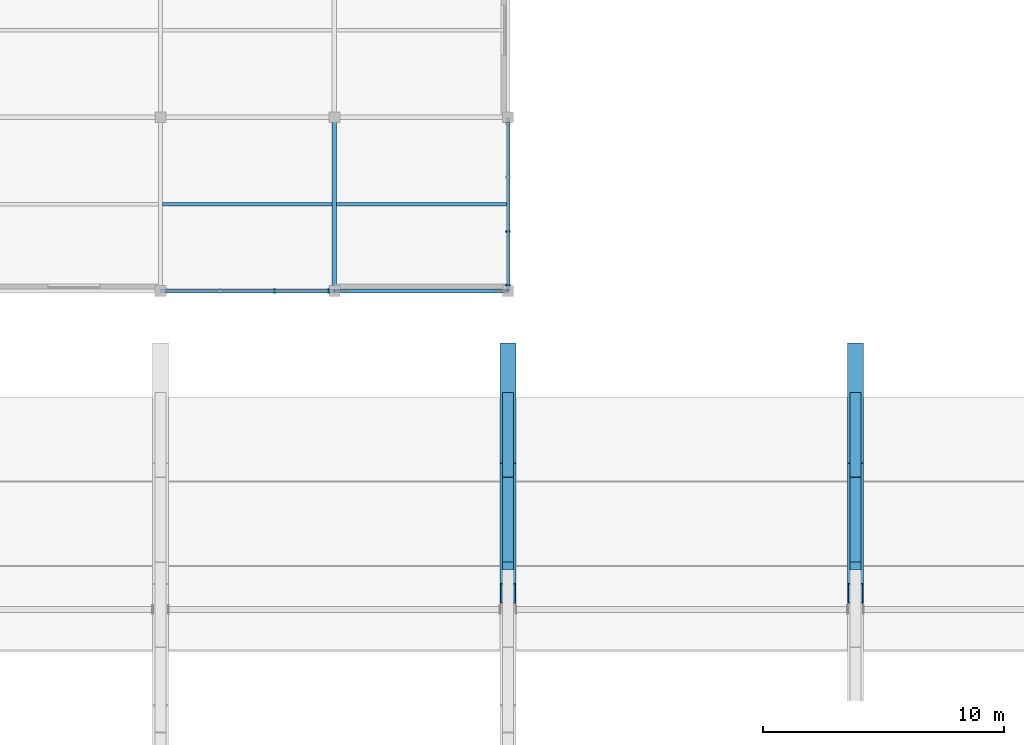
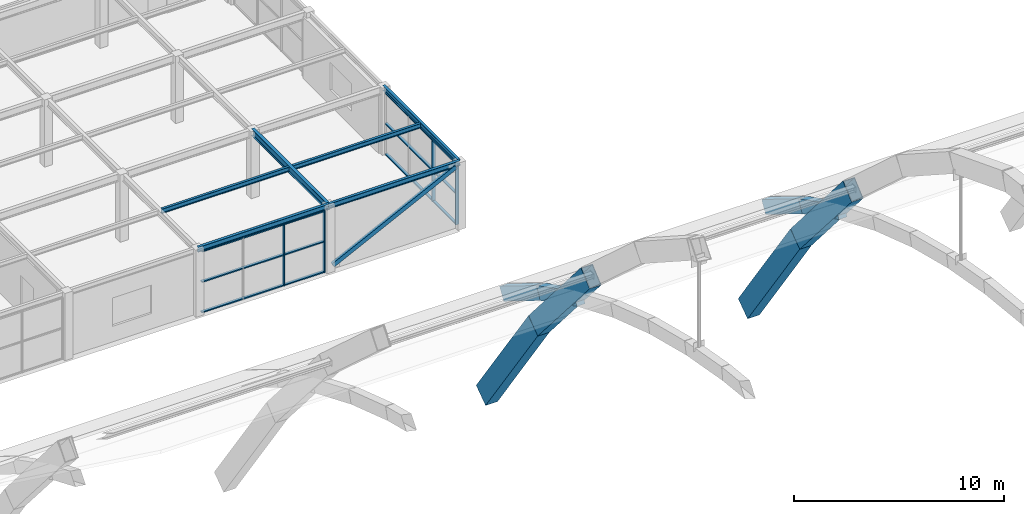
# One storey, part 19 of 64: 15 members, 10 beams, 2 elements without a shape of their own.
"""IFC4 building model written with IfcOpenShell, lengths in metres."""

from ifc_helpers import new_model, si_unit, direction, frame, origin, origin_2d, place, context, subcontext, project, spatial, rectangle, hollow_rectangle, i_section, extrude, material, material_profile, profile_set, type_object, element, aggregate, save


model = new_model("IFC4")

# Units and contexts
model_context = context("Model", 3, precision=1e-05, world=origin(), true_north=direction((0.0, 1.0)))
body_context = subcontext(model_context, "Body", "Model", "MODEL_VIEW")
ifc_project = project(units=[si_unit("LENGTHUNIT", "METRE"), si_unit("AREAUNIT", "SQUARE_METRE"), si_unit("VOLUMEUNIT", "CUBIC_METRE"), si_unit("PLANEANGLEUNIT", "RADIAN"), si_unit("MASSUNIT", "GRAM", prefix="KILO")], contexts=[model_context])

# Site, building, storey
site_placement = place(None, origin())
site = spatial("IfcSite", under=ifc_project, at=site_placement, CompositionType="ELEMENT")
building_placement = place(site_placement, origin())
building = spatial("IfcBuilding", under=site, at=building_placement, Name="Leyfeld Transit Interchange", CompositionType="ELEMENT")
storey_placement = place(building_placement, frame((0.0, 0.0, 9.60009765625)))
storey = spatial("IfcBuildingStorey", under=building, at=storey_placement, Name="L02", CompositionType="ELEMENT", Elevation=9.60009765625)

# Beams
ifc_material_1 = material(Name="Concrete C40/50", Category="concrete")
ifc_material_profile_1 = material_profile(ifc_material_1, rectangle(XDim=0.449951171875, YDim=0.75, at=origin_2d()), Name="RC 750x450 RIB")
ifc_profile_set_1 = profile_set([ifc_material_profile_1], Name="Concrete C40/50")
beam_type_1 = type_object("IfcBeamType", Name="BM-RIB-750x450", PredefinedType="USERDEFINED", material=ifc_profile_set_1)
beam_1_placement = place(storey_placement, frame((43.199951171875, 53.39990234375, 2.81640625), z_axis=(0.0, 0.890316086289, -0.455343020694), x_axis=(-1.0, 0.0, 0.0)))
element("IfcBeam", 1, at=beam_1_placement, inside=storey, type_object=beam_type_1, Name="Concourse Vault Rib A4 Seg 15", ObjectType="ARCH_RIB", PredefinedType="USERDEFINED", context=body_context, shape_type="SweptSolid", body=[
    extrude(rectangle(XDim=0.449951171875, YDim=0.75, at=origin_2d()), origin(), (0.0, 0.0, 1.0), 3.93115234375),
])
beam_2_placement = place(storey_placement, frame((43.199951171875, 56.89990234375, 1.0263671875), z_axis=(0.0, 0.850840137882, -0.525424647089), x_axis=(-1.0, 0.0, 0.0)))
element("IfcBeam", 2, at=beam_2_placement, inside=storey, type_object=beam_type_1, Name="Concourse Vault Rib A4 Seg 16", ObjectType="ARCH_RIB", PredefinedType="USERDEFINED", context=body_context, shape_type="SweptSolid", body=[
    extrude(rectangle(XDim=0.449951171875, YDim=0.75, at=origin_2d()), origin(), (0.0, 0.0, 1.0), 4.113525390625),
])
beam_3_placement = place(storey_placement, frame((57.60009765625, 53.39990234375, 2.81640625), z_axis=(0.0, 0.890316086289, -0.455343020694), x_axis=(-1.0, 0.0, 0.0)))
element("IfcBeam", 3, at=beam_3_placement, inside=storey, type_object=beam_type_1, Name="Concourse Vault Rib A5 Seg 15", ObjectType="ARCH_RIB", PredefinedType="USERDEFINED", context=body_context, shape_type="SweptSolid", body=[
    extrude(rectangle(XDim=0.449951171875, YDim=0.75, at=origin_2d()), origin(), (0.0, 0.0, 1.0), 3.93115234375),
])
beam_4_placement = place(storey_placement, frame((57.60009765625, 56.89990234375, 1.0263671875), z_axis=(0.0, 0.850840137882, -0.525424647089), x_axis=(-1.0, 0.0, 0.0)))
element("IfcBeam", 4, at=beam_4_placement, inside=storey, type_object=beam_type_1, Name="Concourse Vault Rib A5 Seg 16", ObjectType="ARCH_RIB", PredefinedType="USERDEFINED", context=body_context, shape_type="SweptSolid", body=[
    extrude(rectangle(XDim=0.449951171875, YDim=0.75, at=origin_2d()), origin(), (0.0, 0.0, 1.0), 4.113525390625),
])
ifc_material_2 = material(Name="Steel S355J2", Category="steel")
ifc_material_profile_2 = material_profile(ifc_material_2, i_section(OverallWidth=0.135009765625, OverallDepth=0.27001953125, WebThickness=0.006591796875, FlangeThickness=0.01025390625, FilletRadius=0.014892578125, at=origin_2d()), Name="IPE 270")
ifc_profile_set_2 = profile_set([ifc_material_profile_2], Name="Steel S355J2")
beam_type_2 = type_object("IfcBeamType", Name="BM-STL-IPE270", PredefinedType="BEAM", material=ifc_profile_set_2)
beam_5_placement = place(storey_placement, frame((28.886962890625, 68.39990234375, 3.764892578125), z_axis=(1.0, 0.0, 0.0), x_axis=(0.0, 1.0, 0.0)))
element("IfcBeam", 5, at=beam_5_placement, inside=storey, type_object=beam_type_2, Name="Beam BM-L02-0289_0684-0359_0684", PredefinedType="BEAM", context=body_context, shape_type="SweptSolid", body=[
    extrude(i_section(OverallWidth=0.135009765625, OverallDepth=0.27001953125, WebThickness=0.006591796875, FlangeThickness=0.01025390625, FilletRadius=0.014892578125, at=origin_2d()), origin(), (0.0, 0.0, 1.0), 7.026123046875),
])
beam_6_placement = place(storey_placement, frame((36.0869140625, 68.39990234375, 3.764892578125), z_axis=(1.0, 0.0, 0.0), x_axis=(0.0, 1.0, 0.0)))
element("IfcBeam", 6, at=beam_6_placement, inside=storey, type_object=beam_type_2, Name="Beam BM-L02-0361_0684-0431_0684", PredefinedType="BEAM", context=body_context, shape_type="SweptSolid", body=[
    extrude(i_section(OverallWidth=0.135009765625, OverallDepth=0.27001953125, WebThickness=0.006591796875, FlangeThickness=0.01025390625, FilletRadius=0.014892578125, at=origin_2d()), origin(), (0.0, 0.0, 1.0), 7.041015625),
])
ifc_material_profile_3 = material_profile(ifc_material_2, i_section(OverallWidth=0.14990234375, OverallDepth=0.300048828125, WebThickness=0.007080078125, FlangeThickness=0.0107421875, FilletRadius=0.014892578125, at=origin_2d()), Name="IPE 300")
ifc_profile_set_3 = profile_set([ifc_material_profile_3], Name="Steel S355J2")
beam_type_3 = type_object("IfcBeamType", Name="BM-STL-IPE300", PredefinedType="SPANDREL", material=ifc_profile_set_3)
for number, where, z_axis, x_axis, name in (
    (7, (43.199951171875, 64.800048828125, 3.75), (0.0, 1.0, 0.0), (-1.0, 0.0, 0.0), "Beam BM-L02-0432_0648-0432_0720"),
    (8, (28.800048828125, 64.800048828125, 3.75), (1.0, 0.0, 0.0), (0.0, 1.0, 0.0), "Beam BM-L02-0288_0648-0360_0648"),
    (9, (36.0, 64.800048828125, 3.75), (1.0, 0.0, 0.0), (0.0, 1.0, 0.0), "Beam BM-L02-0360_0648-0432_0648"),
):
    element("IfcBeam", number, at=place(storey_placement, frame(where, z_axis=z_axis, x_axis=x_axis)), inside=storey, type_object=beam_type_3, Name=name, PredefinedType="SPANDREL", context=body_context, shape_type="SweptSolid", body=[
        extrude(i_section(OverallWidth=0.14990234375, OverallDepth=0.300048828125, WebThickness=0.007080078125, FlangeThickness=0.0107421875, FilletRadius=0.014892578125, at=origin_2d()), origin(), (0.0, 0.0, 1.0), 7.199951171875),
    ])
ifc_material_profile_4 = material_profile(ifc_material_2, i_section(OverallWidth=0.179931640625, OverallDepth=0.39990234375, WebThickness=0.008544921875, FlangeThickness=0.013427734375, FilletRadius=0.02099609375, at=origin_2d()), Name="IPE 400")
ifc_profile_set_4 = profile_set([ifc_material_profile_4], Name="Steel S355J2")
beam_type_4 = type_object("IfcBeamType", Name="BM-STL-IPE400", PredefinedType="BEAM", material=ifc_profile_set_4)
beam_7_placement = place(storey_placement, frame((36.0, 64.800048828125, 3.699951171875), z_axis=(0.0, 1.0, 0.0), x_axis=(-1.0, 0.0, 0.0)))
element("IfcBeam", 10, at=beam_7_placement, inside=storey, type_object=beam_type_4, Name="Beam BM-L02-0360_0648-0360_0720", PredefinedType="BEAM", context=body_context, shape_type="SweptSolid", body=[
    extrude(i_section(OverallWidth=0.179931640625, OverallDepth=0.39990234375, WebThickness=0.008544921875, FlangeThickness=0.013427734375, FilletRadius=0.02099609375, at=origin_2d()), origin(), (0.0, 0.0, 1.0), 7.199951171875),
])

# Curtain wall, members
ifc_material_3 = material(Name="Anodised aluminium EN AW-6060 T66", Category="aluminium")
curtain_wall_type = type_object("IfcCurtainWallType", Name="CW-SYS-CYC-7200", PredefinedType="NOTDEFINED", material=ifc_material_3)
curtain_wall_1_placement = place(storey_placement, origin())
curtain_wall_1 = element("IfcCurtainWall", 11, at=curtain_wall_1_placement, inside=storey, type_object=curtain_wall_type, Name="Curtain Wall CW-L02-106", PredefinedType="NOTDEFINED")
ifc_material_profile_5 = material_profile(ifc_material_3, rectangle(XDim=0.06494140625, YDim=0.179931640625, at=origin_2d()), Name="CW-M 65x180")
ifc_profile_set_5 = profile_set([ifc_material_profile_5], Name="Anodised aluminium EN AW-6060 T66")
member_type_1 = type_object("IfcMemberType", Name="CW-MUL-150x65", PredefinedType="MULLION", material=ifc_profile_set_5)
member_1_placement = place(storey_placement, frame((43.199951171875, 67.271728515625, 0.0), z_axis=(0.0, 0.0, 1.0), x_axis=(0.0, -1.0, 0.0)))
member_1 = element("IfcMember", 12, at=member_1_placement, type_object=member_type_1, Name="Curtain Mullion CW-L02-106-M03", PredefinedType="MULLION", context=body_context, shape_type="SweptSolid", body=[
    extrude(rectangle(XDim=0.06494140625, YDim=0.179931640625, at=origin_2d()), origin(), (0.0, 0.0, 1.0), 3.599853515625),
])
member_2_placement = place(storey_placement, frame((43.199951171875, 65.047607421875, 0.0), z_axis=(0.0, 0.0, 1.0), x_axis=(0.0, -1.0, 0.0)))
member_2 = element("IfcMember", 13, at=member_2_placement, type_object=member_type_1, Name="Curtain Mullion CW-L02-106-M04", PredefinedType="MULLION", context=body_context, shape_type="SweptSolid", body=[
    extrude(rectangle(XDim=0.06494140625, YDim=0.179931640625, at=origin_2d()), origin(), (0.0, 0.0, 1.0), 3.599853515625),
])

curtain_wall_2_placement = place(storey_placement, origin())
curtain_wall_2 = element("IfcCurtainWall", 14, at=curtain_wall_2_placement, inside=storey, type_object=curtain_wall_type, Name="Curtain Wall CW-L02-107", PredefinedType="NOTDEFINED")
member_3_placement = place(storey_placement, frame((35.75244140625, 64.800048828125, 0.0), z_axis=(0.0, 0.0, 1.0), x_axis=(-1.0, 0.0, 0.0)))
member_3 = element("IfcMember", 15, at=member_3_placement, type_object=member_type_1, Name="Curtain Mullion CW-L02-107-M01", PredefinedType="MULLION", context=body_context, shape_type="SweptSolid", body=[
    extrude(rectangle(XDim=0.06494140625, YDim=0.179931640625, at=origin_2d()), origin(), (0.0, 0.0, 1.0), 3.599853515625),
])
member_4_placement = place(storey_placement, frame((33.5283203125, 64.800048828125, 0.0), z_axis=(0.0, 0.0, 1.0), x_axis=(-1.0, 0.0, 0.0)))
member_4 = element("IfcMember", 16, at=member_4_placement, type_object=member_type_1, Name="Curtain Mullion CW-L02-107-M02", PredefinedType="MULLION", context=body_context, shape_type="SweptSolid", body=[
    extrude(rectangle(XDim=0.06494140625, YDim=0.179931640625, at=origin_2d()), origin(), (0.0, 0.0, 1.0), 3.599853515625),
])

# Member
ifc_material_profile_6 = material_profile(ifc_material_3, rectangle(XDim=0.14990234375, YDim=0.06494140625, at=origin_2d()), Name="CW-TRN-135x65")
ifc_profile_set_6 = profile_set([ifc_material_profile_6], Name="Anodised aluminium EN AW-6060 T66")
member_type_2 = type_object("IfcMemberType", Name="CW-TRN-135x65", PredefinedType="USERDEFINED", material=ifc_profile_set_6)
member_5_placement = place(storey_placement, frame((43.199951171875, 71.784912109375, 0.032470703125), z_axis=(0.0, -1.0, 0.0), x_axis=(1.0, 0.0, 0.0)))
member_5 = element("IfcMember", 17, at=member_5_placement, type_object=member_type_2, Name="Curtain Transom CW-L02-106-T01", ObjectType="TRANSOM", PredefinedType="USERDEFINED", context=body_context, shape_type="SweptSolid", body=[
    extrude(rectangle(XDim=0.14990234375, YDim=0.06494140625, at=origin_2d()), origin(), (0.0, 0.0, 1.0), 6.77001953125),
])

member_6_placement = place(storey_placement, frame((43.199951171875, 71.784912109375, 1.7998046875), z_axis=(0.0, -1.0, 0.0), x_axis=(1.0, 0.0, 0.0)))
member_6 = element("IfcMember", 18, at=member_6_placement, type_object=member_type_2, Name="Curtain Transom CW-L02-106-T02", ObjectType="TRANSOM", PredefinedType="USERDEFINED", context=body_context, shape_type="SweptSolid", body=[
    extrude(rectangle(XDim=0.14990234375, YDim=0.06494140625, at=origin_2d()), origin(), (0.0, 0.0, 1.0), 6.77001953125),
])

member_7_placement = place(storey_placement, frame((43.199951171875, 71.784912109375, 3.5673828125), z_axis=(0.0, -1.0, 0.0), x_axis=(1.0, 0.0, 0.0)))
member_7 = element("IfcMember", 19, at=member_7_placement, type_object=member_type_2, Name="Curtain Transom CW-L02-106-T03", ObjectType="TRANSOM", PredefinedType="USERDEFINED", context=body_context, shape_type="SweptSolid", body=[
    extrude(rectangle(XDim=0.14990234375, YDim=0.06494140625, at=origin_2d()), origin(), (0.0, 0.0, 1.0), 6.77001953125),
])

aggregate(curtain_wall_1, [member_1, member_2, member_5, member_6, member_7])

member_8_placement = place(storey_placement, frame((35.784912109375, 64.800048828125, 0.032470703125), z_axis=(-1.0, 0.0, 0.0), x_axis=(0.0, -1.0, 0.0)))
member_8 = element("IfcMember", 20, at=member_8_placement, type_object=member_type_2, Name="Curtain Transom CW-L02-107-T01", ObjectType="TRANSOM", PredefinedType="USERDEFINED", context=body_context, shape_type="SweptSolid", body=[
    extrude(rectangle(XDim=0.14990234375, YDim=0.06494140625, at=origin_2d()), origin(), (0.0, 0.0, 1.0), 6.77001953125),
])

member_9_placement = place(storey_placement, frame((35.784912109375, 64.800048828125, 1.7998046875), z_axis=(-1.0, 0.0, 0.0), x_axis=(0.0, -1.0, 0.0)))
member_9 = element("IfcMember", 21, at=member_9_placement, type_object=member_type_2, Name="Curtain Transom CW-L02-107-T02", ObjectType="TRANSOM", PredefinedType="USERDEFINED", context=body_context, shape_type="SweptSolid", body=[
    extrude(rectangle(XDim=0.14990234375, YDim=0.06494140625, at=origin_2d()), origin(), (0.0, 0.0, 1.0), 6.77001953125),
])

member_10_placement = place(storey_placement, frame((35.784912109375, 64.800048828125, 3.5673828125), z_axis=(-1.0, 0.0, 0.0), x_axis=(0.0, -1.0, 0.0)))
member_10 = element("IfcMember", 22, at=member_10_placement, type_object=member_type_2, Name="Curtain Transom CW-L02-107-T03", ObjectType="TRANSOM", PredefinedType="USERDEFINED", context=body_context, shape_type="SweptSolid", body=[
    extrude(rectangle(XDim=0.14990234375, YDim=0.06494140625, at=origin_2d()), origin(), (0.0, 0.0, 1.0), 6.77001953125),
])

aggregate(curtain_wall_2, [member_3, member_4, member_8, member_9, member_10])

# Members
ifc_material_4 = material(Name="Steel S355J2 - Ochre Arch", Category="steel")
ifc_material_profile_7 = material_profile(ifc_material_4, hollow_rectangle(XDim=0.64990234375, YDim=1.10009765625, WallThickness=0.035888671875, at=origin_2d()), Name="RHS 1100x650x36")
ifc_profile_set_7 = profile_set([ifc_material_profile_7], Name="Steel S355J2 - Ochre Arch")
member_type_3 = type_object("IfcMemberType", Name="MEM-ARCH-1100", PredefinedType="USERDEFINED", material=ifc_profile_set_7)
member_11_placement = place(storey_placement, frame((43.199951171875, 52.2666015625, 4.733154296875), z_axis=(0.0, 0.652068011337, -0.758160476807), x_axis=(-1.0, 0.0, 0.0)))
element("IfcMember", 23, at=member_11_placement, inside=storey, type_object=member_type_3, Name="Primary Steel Arch AR-03 Seg 11", ObjectType="ARCH_SEGMENT", PredefinedType="USERDEFINED", context=body_context, shape_type="SweptSolid", body=[
    extrude(hollow_rectangle(XDim=0.64990234375, YDim=1.10009765625, WallThickness=0.035888671875, at=origin_2d()), origin(), (0.0, 0.0, 1.0), 7.616943359375),
])
member_12_placement = place(storey_placement, frame((43.199951171875, 57.2333984375, -1.041748046875), z_axis=(0.0, 0.575459771691, -0.817830086977), x_axis=(-1.0, 0.0, 0.0)))
element("IfcMember", 24, at=member_12_placement, inside=storey, type_object=member_type_3, Name="Primary Steel Arch AR-03 Seg 12", ObjectType="ARCH_SEGMENT", PredefinedType="USERDEFINED", context=body_context, shape_type="SweptSolid", body=[
    extrude(hollow_rectangle(XDim=0.64990234375, YDim=1.10009765625, WallThickness=0.035888671875, at=origin_2d()), origin(), (0.0, 0.0, 1.0), 8.630615234375),
])
member_13_placement = place(storey_placement, frame((57.60009765625, 52.2666015625, 4.733154296875), z_axis=(0.0, 0.652068011337, -0.758160476807), x_axis=(-1.0, 0.0, 0.0)))
element("IfcMember", 25, at=member_13_placement, inside=storey, type_object=member_type_3, Name="Primary Steel Arch AR-04 Seg 11", ObjectType="ARCH_SEGMENT", PredefinedType="USERDEFINED", context=body_context, shape_type="SweptSolid", body=[
    extrude(hollow_rectangle(XDim=0.64990234375, YDim=1.10009765625, WallThickness=0.035888671875, at=origin_2d()), origin(), (0.0, 0.0, 1.0), 7.616943359375),
])
member_14_placement = place(storey_placement, frame((57.60009765625, 57.2333984375, -1.041748046875), z_axis=(0.0, 0.575459771691, -0.817830086977), x_axis=(-1.0, 0.0, 0.0)))
element("IfcMember", 26, at=member_14_placement, inside=storey, type_object=member_type_3, Name="Primary Steel Arch AR-04 Seg 12", ObjectType="ARCH_SEGMENT", PredefinedType="USERDEFINED", context=body_context, shape_type="SweptSolid", body=[
    extrude(hollow_rectangle(XDim=0.64990234375, YDim=1.10009765625, WallThickness=0.035888671875, at=origin_2d()), origin(), (0.0, 0.0, 1.0), 8.630615234375),
])
ifc_material_profile_8 = material_profile(ifc_material_2, hollow_rectangle(XDim=0.14990234375, YDim=0.25, WallThickness=0.010009765625, at=origin_2d()), Name="RHS 250x150x10")
ifc_profile_set_8 = profile_set([ifc_material_profile_8], Name="Steel S355J2")
member_type_4 = type_object("IfcMemberType", Name="MEM-BRC-RHS250", PredefinedType="BRACE", material=ifc_profile_set_8)
member_15_placement = place(storey_placement, frame((36.219970703125, 64.800048828125, 0.25), z_axis=(0.89602006791, 0.0, 0.44401355599), x_axis=(0.0, 1.0, 0.0)))
element("IfcMember", 27, at=member_15_placement, inside=storey, type_object=member_type_4, Name="Lateral Diagonal Brace 006", PredefinedType="BRACE", context=body_context, shape_type="SweptSolid", body=[
    extrude(hollow_rectangle(XDim=0.14990234375, YDim=0.25, WallThickness=0.010009765625, at=origin_2d()), origin(), (0.0, 0.0, 1.0), 7.54443359375),
])

save(model, "model.ifc")
